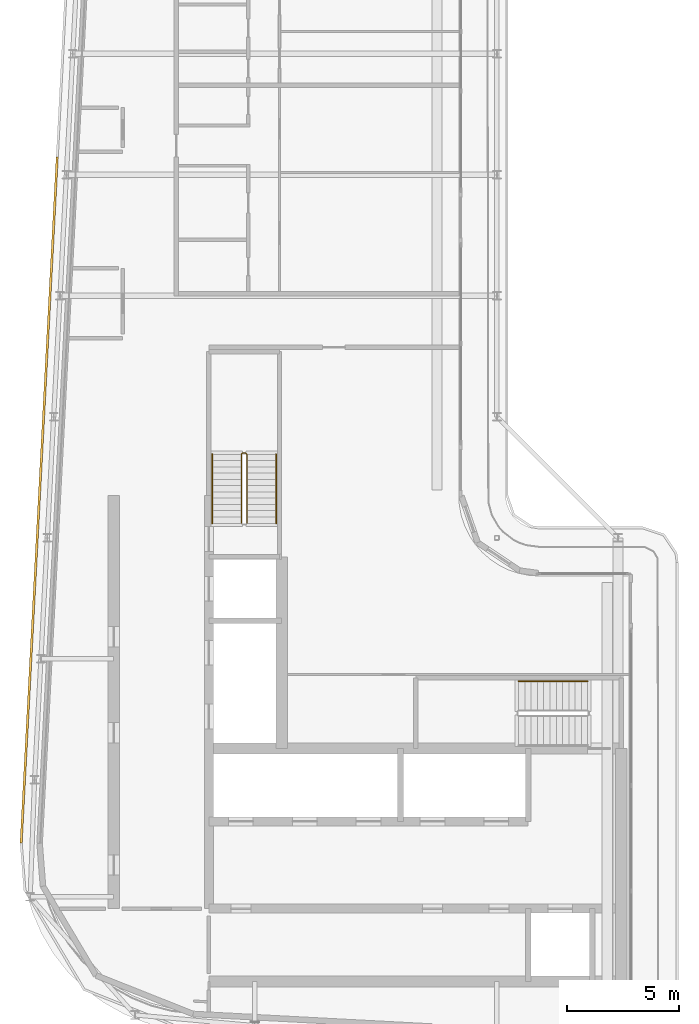
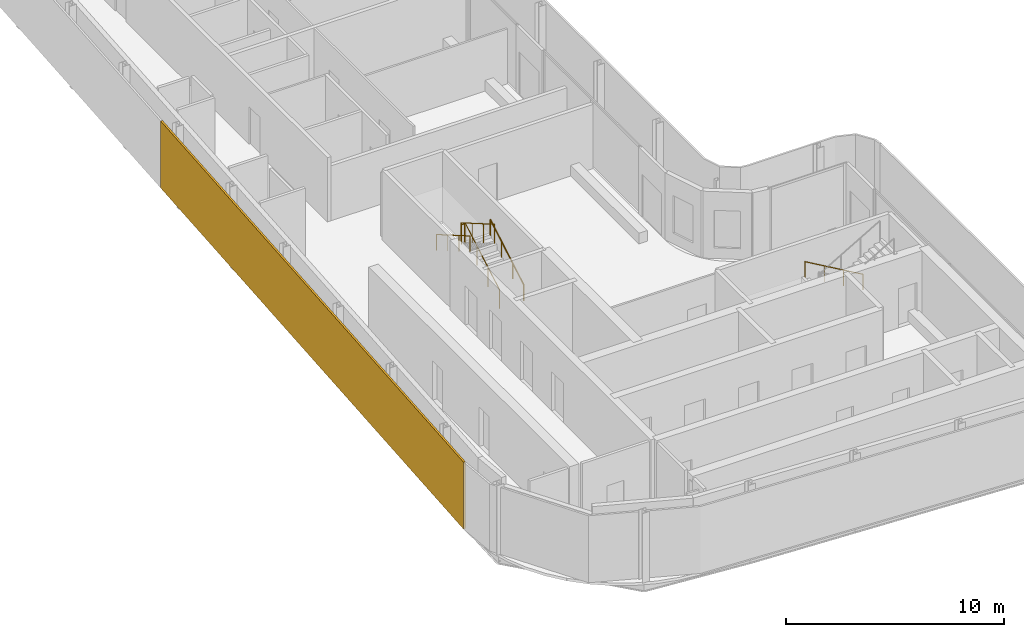
# One storey, part 15 of 19: 4 railings, 1 shading device.
"""IFC4 building model written with IfcOpenShell, lengths in metres."""

from ifc_helpers import new_model, si_unit, direction, frame, origin, origin_2d, place, context, subcontext, project, spatial, rectangle, circle, extrude, material, layer, layer_set, type_object, element, save


model = new_model("IFC4")

# Units and contexts
model_context = context("Model", 3, precision=1e-05, world=origin(), true_north=direction((0.0, 1.0)))
body_context = subcontext(model_context, "Body", "Model", "MODEL_VIEW")
ifc_project = project(units=[si_unit("LENGTHUNIT", "METRE"), si_unit("AREAUNIT", "SQUARE_METRE"), si_unit("VOLUMEUNIT", "CUBIC_METRE"), si_unit("PLANEANGLEUNIT", "RADIAN"), si_unit("MASSUNIT", "GRAM", prefix="KILO")], contexts=[model_context])

# Site, building, storey
site_placement = place(None, origin())
site = spatial("IfcSite", under=ifc_project, at=site_placement, CompositionType="ELEMENT")
building_placement = place(site_placement, origin())
building = spatial("IfcBuilding", under=site, at=building_placement, Name="Kheshtan School and Residences Tower", CompositionType="ELEMENT")
storey_placement = place(building_placement, frame((0.0, 0.0, 353.89990234375)))
storey = spatial("IfcBuildingStorey", under=building, at=storey_placement, Name="L83", CompositionType="ELEMENT", Elevation=353.89990234375)

# Shading device
ifc_material_1 = material(Name="Terracotta baguette, extruded ceramic", Category="masonry")
ifc_layer = layer(ifc_material_1, 0.10009765625)
ifc_layer_set = layer_set([ifc_layer], Name="Ledge screen, terracotta baguettes")
shading_device_type = type_object("IfcShadingDeviceType", Name="Ledge screen, terracotta baguettes", PredefinedType="USERDEFINED", material=ifc_layer_set)
shading_device_placement = place(storey_placement, frame((27.175048828125, 47.2890625, 0.0), z_axis=(0.0, 0.0, 1.0), x_axis=(0.052562536748, 0.998617634398, 0.0)))
element("IfcShadingDevice", 1, at=shading_device_placement, inside=storey, type_object=shading_device_type, Name="Screen L83 4", ObjectType="BAGUETTE", PredefinedType="USERDEFINED", context=body_context, shape_type="SweptSolid", body=[
    extrude(rectangle(XDim=30.636962890625, YDim=0.10009765625, at=origin_2d()), origin(), (0.0, 0.0, 1.0), 3.75),
])

# Railings
ifc_material_2 = material(Name="Stainless steel balustrade", Category="steel")
railing_type_1 = type_object("IfcRailingType", Name="Stair guard 1100", PredefinedType="GUARDRAIL", material=ifc_material_2)
railing_1_placement = place(storey_placement, frame((36.449951171875, 46.25, 0.16259765625)))
element("IfcRailing", 2, at=railing_1_placement, inside=storey, type_object=railing_type_1, Name="L83 ST2 stair guard 1", PredefinedType="GUARDRAIL", context=body_context, shape_type="SweptSolid", body=[
    extrude(circle(Radius=0.02392578125, at=origin_2d()), frame((0.0, 0.0, 1.076171875), z_axis=(0.0, 0.864890721111, 0.501960198159), x_axis=(-1.0, 0.0, 0.0)), (0.0, 0.0, 1.0), 3.561279296875),
    extrude(circle(Radius=0.02392578125, at=origin_2d()), frame((0.0, 3.080078125, 2.86376953125), z_axis=(-0.708833529934, 0.705375805398, 0.0), x_axis=(-0.705375805398, -0.708833529934, 0.0)), (0.0, 0.0, 1.0), 0.070556640625),
    extrude(circle(Radius=0.02392578125, at=origin_2d()), frame((-0.050048828125, 3.1298828125, 2.86376953125), z_axis=(-1.0, 0.0, 0.0), x_axis=(0.0, -1.0, 0.0)), (0.0, 0.0, 1.0), 0.14990234375),
    extrude(circle(Radius=0.02392578125, at=origin_2d()), frame((-0.199951171875, 3.1298828125, 2.86376953125), z_axis=(-0.282693820306, -0.281314826061, 0.917031173188), x_axis=(0.705375805398, -0.708833529934, 0.0)), (0.0, 0.0, 1.0), 0.177001953125),
    extrude(circle(Radius=0.02392578125, at=origin_2d()), frame((-0.25, 3.080078125, 3.02587890625), z_axis=(0.0, -0.864890721111, 0.501960198159), x_axis=(1.0, 0.0, 0.0)), (0.0, 0.0, 1.0), 3.561279296875),
    extrude(circle(Radius=0.02099609375, at=origin_2d()), origin(), (0.0, 0.0, 1.0), 1.052001953125),
    extrude(circle(Radius=0.02099609375, at=origin_2d()), frame((0.0, 1.026611328125, 0.595947265625)), (0.0, 0.0, 1.0), 1.052001953125),
    extrude(circle(Radius=0.02099609375, at=origin_2d()), frame((0.0, 2.053466796875, 1.191650390625)), (0.0, 0.0, 1.0), 1.052001953125),
    extrude(circle(Radius=0.02099609375, at=origin_2d()), frame((0.0, 3.080078125, 1.78759765625)), (0.0, 0.0, 1.0), 1.052001953125),
    extrude(circle(Radius=0.02099609375, at=origin_2d()), frame((-0.050048828125, 3.1298828125, 1.78759765625)), (0.0, 0.0, 1.0), 1.052001953125),
    extrude(circle(Radius=0.02099609375, at=origin_2d()), frame((-0.199951171875, 3.1298828125, 1.78759765625)), (0.0, 0.0, 1.0), 1.052001953125),
    extrude(circle(Radius=0.02099609375, at=origin_2d()), frame((-0.25, 3.080078125, 1.949951171875)), (0.0, 0.0, 1.0), 1.052001953125),
    extrude(circle(Radius=0.02099609375, at=origin_2d()), frame((-0.25, 2.053466796875, 2.5458984375)), (0.0, 0.0, 1.0), 1.052001953125),
    extrude(circle(Radius=0.02099609375, at=origin_2d()), frame((-0.25, 1.026611328125, 3.1416015625)), (0.0, 0.0, 1.0), 1.052001953125),
    extrude(circle(Radius=0.02099609375, at=origin_2d()), frame((-0.25, 0.0, 3.737548828125)), (0.0, 0.0, 1.0), 1.052001953125),
])
ifc_material_3 = material(Name="Stainless steel handrail", Category="steel")
railing_type_2 = type_object("IfcRailingType", Name="Stair handrail 900", PredefinedType="HANDRAIL", material=ifc_material_3)
railing_2_placement = place(storey_placement, frame((51.64990234375, 39.199951171875, 0.16259765625)))
element("IfcRailing", 3, at=railing_2_placement, inside=storey, type_object=railing_type_2, Name="L83 ST1 stair handrail 1", PredefinedType="HANDRAIL", context=body_context, shape_type="SweptSolid", body=[
    extrude(circle(Radius=0.02392578125, at=origin_2d()), frame((0.0, 0.0, 0.8759765625), z_axis=(-0.864873446163, 0.0, 0.501989962173), x_axis=(0.0, -1.0, 0.0)), (0.0, 0.0, 1.0), 3.56103515625),
    extrude(circle(Radius=0.02099609375, at=origin_2d()), origin(), (0.0, 0.0, 1.0), 0.851806640625),
    extrude(circle(Radius=0.02099609375, at=origin_2d()), frame((-1.026611328125, 0.0, 0.595947265625)), (0.0, 0.0, 1.0), 0.851806640625),
    extrude(circle(Radius=0.02099609375, at=origin_2d()), frame((-2.05322265625, 0.0, 1.191650390625)), (0.0, 0.0, 1.0), 0.851806640625),
    extrude(circle(Radius=0.02099609375, at=origin_2d()), frame((-3.079833984375, 0.0, 1.78759765625)), (0.0, 0.0, 1.0), 0.851806640625),
])
railing_3_placement = place(storey_placement, frame((37.75, 46.25, 0.16259765625)))
element("IfcRailing", 4, at=railing_3_placement, inside=storey, type_object=railing_type_2, Name="L83 ST2 stair handrail 1", PredefinedType="HANDRAIL", context=body_context, shape_type="SweptSolid", body=[
    extrude(circle(Radius=0.02392578125, at=origin_2d()), frame((0.0, 0.0, 0.8759765625), z_axis=(0.0, 0.864890721111, 0.501960198159), x_axis=(-1.0, 0.0, 0.0)), (0.0, 0.0, 1.0), 3.561279296875),
    extrude(circle(Radius=0.02099609375, at=origin_2d()), origin(), (0.0, 0.0, 1.0), 0.851806640625),
    extrude(circle(Radius=0.02099609375, at=origin_2d()), frame((0.0, 1.026611328125, 0.595947265625)), (0.0, 0.0, 1.0), 0.851806640625),
    extrude(circle(Radius=0.02099609375, at=origin_2d()), frame((0.0, 2.053466796875, 1.191650390625)), (0.0, 0.0, 1.0), 0.851806640625),
    extrude(circle(Radius=0.02099609375, at=origin_2d()), frame((0.0, 3.080078125, 1.78759765625)), (0.0, 0.0, 1.0), 0.851806640625),
])
railing_4_placement = place(storey_placement, frame((34.89990234375, 49.330078125, 2.112548828125)))
element("IfcRailing", 5, at=railing_4_placement, inside=storey, type_object=railing_type_2, Name="L83 ST2 stair handrail 2", PredefinedType="HANDRAIL", context=body_context, shape_type="SweptSolid", body=[
    extrude(circle(Radius=0.02392578125, at=origin_2d()), frame((0.0, 0.0, 0.8759765625), z_axis=(0.0, -0.864890721111, 0.501960198159), x_axis=(1.0, 0.0, 0.0)), (0.0, 0.0, 1.0), 3.561279296875),
    extrude(circle(Radius=0.02099609375, at=origin_2d()), origin(), (0.0, 0.0, 1.0), 0.851806640625),
    extrude(circle(Radius=0.02099609375, at=origin_2d()), frame((0.0, -1.026611328125, 0.595947265625)), (0.0, 0.0, 1.0), 0.851806640625),
    extrude(circle(Radius=0.02099609375, at=origin_2d()), frame((0.0, -2.053466796875, 1.191650390625)), (0.0, 0.0, 1.0), 0.851806640625),
    extrude(circle(Radius=0.02099609375, at=origin_2d()), frame((0.0, -3.080078125, 1.78759765625)), (0.0, 0.0, 1.0), 0.851806640625),
])

save(model, "model.ifc")
